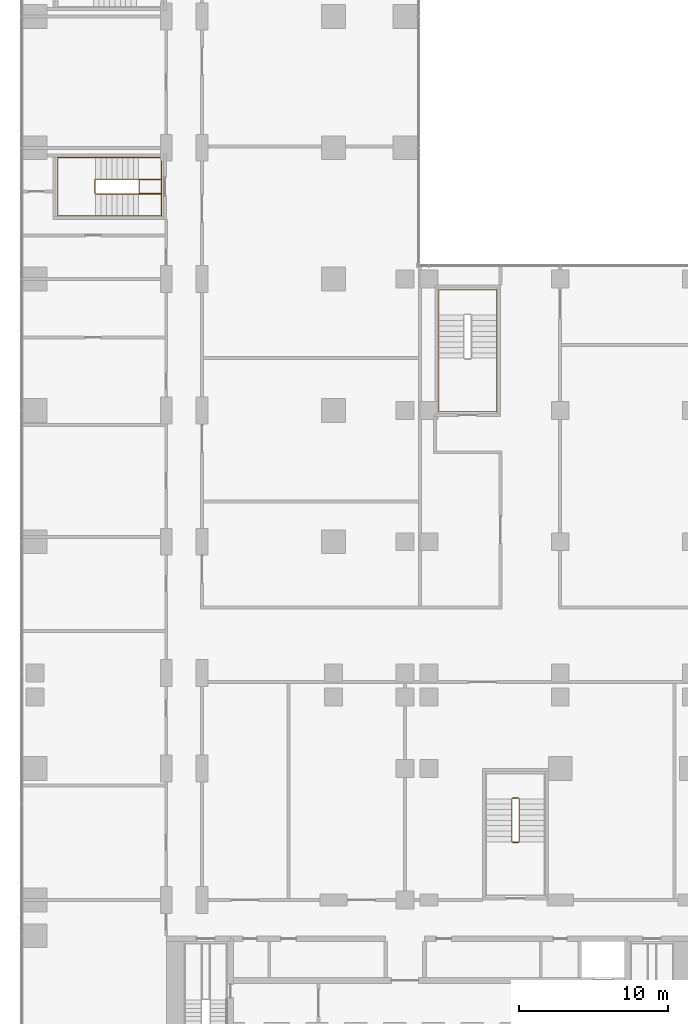
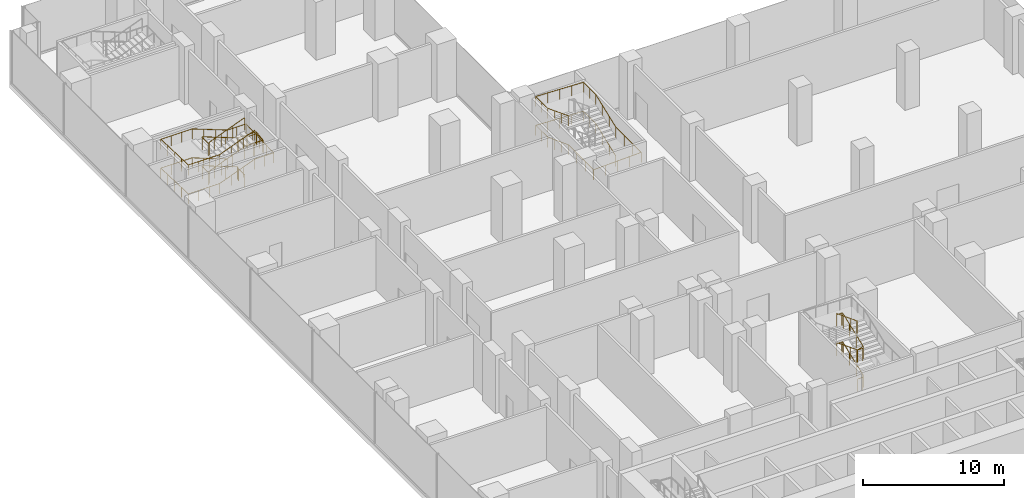
# One storey, part 27 of 30: 4 railings.
"""IFC4 building model written with IfcOpenShell, lengths in metres."""

from ifc_helpers import new_model, si_unit, direction, frame, origin, origin_2d, place, context, subcontext, project, spatial, circle, extrude, material, type_object, element, save


model = new_model("IFC4")

# Units and contexts
model_context = context("Model", 3, precision=1e-05, world=origin(), true_north=direction((0.0, 1.0)))
body_context = subcontext(model_context, "Body", "Model", "MODEL_VIEW")
ifc_project = project(units=[si_unit("LENGTHUNIT", "METRE"), si_unit("AREAUNIT", "SQUARE_METRE"), si_unit("VOLUMEUNIT", "CUBIC_METRE"), si_unit("PLANEANGLEUNIT", "RADIAN"), si_unit("MASSUNIT", "GRAM", prefix="KILO")], contexts=[model_context])

# Site, building, storey
site_placement = place(None, origin())
site = spatial("IfcSite", under=ifc_project, at=site_placement, CompositionType="ELEMENT")
building_placement = place(site_placement, origin())
building = spatial("IfcBuilding", under=site, at=building_placement, Name="Kemantara Hotel Tower", CompositionType="ELEMENT")
storey_placement = place(building_placement, frame((0.0, 0.0, 13.0)))
storey = spatial("IfcBuildingStorey", under=building, at=storey_placement, Name="L02", CompositionType="ELEMENT", Elevation=13.0)

# Railings
ifc_material = material(Name="Stainless steel balustrade", Category="steel")
railing_type_1 = type_object("IfcRailingType", Name="Stair guard 1100 mm", PredefinedType="GUARDRAIL", material=ifc_material)
railing_1_placement = place(storey_placement, frame((7.949951171875, 59.5, 5.0)))
element("IfcRailing", 1, at=railing_1_placement, inside=storey, type_object=railing_type_1, Name="L02 ST4 stair guard 1", PredefinedType="GUARDRAIL", context=body_context, shape_type="SweptSolid", body=[
    extrude(circle(Radius=0.02392578125, at=origin_2d()), frame((0.0, 0.0, 1.076171875), z_axis=(-0.932972064118, 0.0, -0.359948784656), x_axis=(0.0, -1.0, 0.0)), (0.0, 0.0, 1.0), 3.086669921875),
    extrude(circle(Radius=0.02392578125, at=origin_2d()), frame((-2.8798828125, 0.0, -0.03515625), z_axis=(-0.321014310373, 0.321014310373, -0.891010451718), x_axis=(-0.707106781187, -0.707106781187, 0.0)), (0.0, 0.0, 1.0), 0.156005859375),
    extrude(circle(Radius=0.02392578125, at=origin_2d()), frame((-2.929931640625, 0.050048828125, -0.173828125), z_axis=(0.0, 1.0, 0.0), x_axis=(-1.0, 0.0, 0.0)), (0.0, 0.0, 1.0), 0.89990234375),
    extrude(circle(Radius=0.02392578125, at=origin_2d()), frame((-2.929931640625, 0.949951171875, -0.173828125), z_axis=(0.707106781187, 0.707106781187, 0.0), x_axis=(-0.707106781187, 0.707106781187, 0.0)), (0.0, 0.0, 1.0), 0.07080078125),
    extrude(circle(Radius=0.02392578125, at=origin_2d()), frame((-2.8798828125, 1.0, -0.173828125), z_axis=(0.932972064118, 0.0, -0.359948784656), x_axis=(0.0, 1.0, 0.0)), (0.0, 0.0, 1.0), 3.086669921875),
    extrude(circle(Radius=0.02392578125, at=origin_2d()), frame((0.0, 1.0, -1.28515625), z_axis=(1.0, 0.0, 0.0), x_axis=(0.0, 1.0, 0.0)), (0.0, 0.0, 1.0), 1.530029296875),
    extrude(circle(Radius=0.02392578125, at=origin_2d()), frame((1.530029296875, 1.0, -1.28515625), z_axis=(0.0, -0.989476165601, -0.144695949172), x_axis=(1.0, 0.0, 0.0)), (0.0, 0.0, 1.0), 0.9599609375),
    extrude(circle(Radius=0.02392578125, at=origin_2d()), frame((1.530029296875, 0.050048828125, -1.423828125), z_axis=(-1.0, 0.0, 0.0), x_axis=(0.0, -1.0, 0.0)), (0.0, 0.0, 1.0), 1.47998046875),
    extrude(circle(Radius=0.02392578125, at=origin_2d()), frame((0.050048828125, 0.050048828125, -1.423828125), z_axis=(0.0, 1.0, 0.0), x_axis=(-1.0, 0.0, 0.0)), (0.0, 0.0, 1.0), 0.89990234375),
    extrude(circle(Radius=0.02392578125, at=origin_2d()), frame((0.050048828125, 0.949951171875, -1.423828125), z_axis=(1.0, 0.0, 0.0), x_axis=(0.0, 1.0, 0.0)), (0.0, 0.0, 1.0), 1.47998046875),
    extrude(circle(Radius=0.02392578125, at=origin_2d()), frame((1.530029296875, 0.949951171875, -1.423828125), z_axis=(0.0, -1.0, 0.0), x_axis=(1.0, 0.0, 0.0)), (0.0, 0.0, 1.0), 0.949951171875),
    extrude(circle(Radius=0.02392578125, at=origin_2d()), frame((1.530029296875, 0.0, -1.423828125), z_axis=(-1.0, 0.0, 0.0), x_axis=(0.0, -1.0, 0.0)), (0.0, 0.0, 1.0), 1.530029296875),
    extrude(circle(Radius=0.02392578125, at=origin_2d()), frame((0.0, 0.0, -1.423828125), z_axis=(-0.932972064118, 0.0, -0.359948784656), x_axis=(0.0, -1.0, 0.0)), (0.0, 0.0, 1.0), 3.086669921875),
    extrude(circle(Radius=0.02392578125, at=origin_2d()), frame((-2.8798828125, 0.0, -2.53515625), z_axis=(-0.321014310373, 0.321014310373, -0.891010451718), x_axis=(-0.707106781187, -0.707106781187, 0.0)), (0.0, 0.0, 1.0), 0.156005859375),
    extrude(circle(Radius=0.02392578125, at=origin_2d()), frame((-2.929931640625, 0.050048828125, -2.673828125), z_axis=(0.0, 1.0, 0.0), x_axis=(-1.0, 0.0, 0.0)), (0.0, 0.0, 1.0), 0.89990234375),
    extrude(circle(Radius=0.02392578125, at=origin_2d()), frame((-2.929931640625, 0.949951171875, -2.673828125), z_axis=(0.707106781187, 0.707106781187, 0.0), x_axis=(-0.707106781187, 0.707106781187, 0.0)), (0.0, 0.0, 1.0), 0.07080078125),
    extrude(circle(Radius=0.02392578125, at=origin_2d()), frame((-2.8798828125, 1.0, -2.673828125), z_axis=(0.932972064118, 0.0, -0.359948784656), x_axis=(0.0, 1.0, 0.0)), (0.0, 0.0, 1.0), 3.086669921875),
    extrude(circle(Radius=0.02392578125, at=origin_2d()), frame((0.0, 1.0, -3.78515625), z_axis=(0.321014310373, -0.321014310373, -0.891010451718), x_axis=(0.707106781187, 0.707106781187, 0.0)), (0.0, 0.0, 1.0), 0.156005859375),
    extrude(circle(Radius=0.02392578125, at=origin_2d()), frame((0.050048828125, 0.949951171875, -3.923828125), z_axis=(0.0, -1.0, 0.0), x_axis=(1.0, 0.0, 0.0)), (0.0, 0.0, 1.0), 0.89990234375),
    extrude(circle(Radius=0.02099609375, at=origin_2d()), origin(), (0.0, 0.0, 1.0), 1.052001953125),
    extrude(circle(Radius=0.02099609375, at=origin_2d()), frame((-0.9599609375, 0.0, -0.370361328125)), (0.0, 0.0, 1.0), 1.052001953125),
    extrude(circle(Radius=0.02099609375, at=origin_2d()), frame((-1.919921875, 0.0, -0.74072265625)), (0.0, 0.0, 1.0), 1.052001953125),
    extrude(circle(Radius=0.02099609375, at=origin_2d()), frame((-2.8798828125, 0.0, -1.111083984375)), (0.0, 0.0, 1.0), 1.052001953125),
    extrude(circle(Radius=0.02099609375, at=origin_2d()), frame((-2.929931640625, 0.050048828125, -1.25)), (0.0, 0.0, 1.0), 1.052001953125),
    extrude(circle(Radius=0.02099609375, at=origin_2d()), frame((-2.929931640625, 0.949951171875, -1.25)), (0.0, 0.0, 1.0), 1.052001953125),
    extrude(circle(Radius=0.02099609375, at=origin_2d()), frame((-2.8798828125, 1.0, -1.25)), (0.0, 0.0, 1.0), 1.052001953125),
    extrude(circle(Radius=0.02099609375, at=origin_2d()), frame((-1.919921875, 1.0, -1.620361328125)), (0.0, 0.0, 1.0), 1.052001953125),
    extrude(circle(Radius=0.02099609375, at=origin_2d()), frame((-0.9599609375, 1.0, -1.99072265625)), (0.0, 0.0, 1.0), 1.052001953125),
    extrude(circle(Radius=0.02099609375, at=origin_2d()), frame((0.0, 1.0, -2.361083984375)), (0.0, 0.0, 1.0), 1.052001953125),
    extrude(circle(Radius=0.02099609375, at=origin_2d()), frame((0.76513671875, 1.0, -2.361083984375)), (0.0, 0.0, 1.0), 1.052001953125),
    extrude(circle(Radius=0.02099609375, at=origin_2d()), frame((1.530029296875, 1.0, -2.361083984375)), (0.0, 0.0, 1.0), 1.052001953125),
    extrude(circle(Radius=0.02099609375, at=origin_2d()), frame((1.530029296875, 0.050048828125, -2.5)), (0.0, 0.0, 1.0), 1.052001953125),
    extrude(circle(Radius=0.02099609375, at=origin_2d()), frame((0.7900390625, 0.050048828125, -2.5)), (0.0, 0.0, 1.0), 1.052001953125),
    extrude(circle(Radius=0.02099609375, at=origin_2d()), frame((0.050048828125, 0.050048828125, -2.5)), (0.0, 0.0, 1.0), 1.052001953125),
    extrude(circle(Radius=0.02099609375, at=origin_2d()), frame((0.050048828125, 0.949951171875, -2.5)), (0.0, 0.0, 1.0), 1.052001953125),
    extrude(circle(Radius=0.02099609375, at=origin_2d()), frame((0.7900390625, 0.949951171875, -2.5)), (0.0, 0.0, 1.0), 1.052001953125),
    extrude(circle(Radius=0.02099609375, at=origin_2d()), frame((1.530029296875, 0.949951171875, -2.5)), (0.0, 0.0, 1.0), 1.052001953125),
    extrude(circle(Radius=0.02099609375, at=origin_2d()), frame((1.530029296875, 0.0, -2.5)), (0.0, 0.0, 1.0), 1.052001953125),
    extrude(circle(Radius=0.02099609375, at=origin_2d()), frame((0.76513671875, 0.0, -2.5)), (0.0, 0.0, 1.0), 1.052001953125),
    extrude(circle(Radius=0.02099609375, at=origin_2d()), frame((0.0, 0.0, -2.5)), (0.0, 0.0, 1.0), 1.052001953125),
    extrude(circle(Radius=0.02099609375, at=origin_2d()), frame((-0.9599609375, 0.0, -2.870361328125)), (0.0, 0.0, 1.0), 1.052001953125),
    extrude(circle(Radius=0.02099609375, at=origin_2d()), frame((-1.919921875, 0.0, -3.24072265625)), (0.0, 0.0, 1.0), 1.052001953125),
    extrude(circle(Radius=0.02099609375, at=origin_2d()), frame((-2.8798828125, 0.0, -3.611083984375)), (0.0, 0.0, 1.0), 1.052001953125),
    extrude(circle(Radius=0.02099609375, at=origin_2d()), frame((-2.929931640625, 0.050048828125, -3.75)), (0.0, 0.0, 1.0), 1.052001953125),
    extrude(circle(Radius=0.02099609375, at=origin_2d()), frame((-2.929931640625, 0.949951171875, -3.75)), (0.0, 0.0, 1.0), 1.052001953125),
    extrude(circle(Radius=0.02099609375, at=origin_2d()), frame((-2.8798828125, 1.0, -3.75)), (0.0, 0.0, 1.0), 1.052001953125),
    extrude(circle(Radius=0.02099609375, at=origin_2d()), frame((-1.919921875, 1.0, -4.120361328125)), (0.0, 0.0, 1.0), 1.052001953125),
    extrude(circle(Radius=0.02099609375, at=origin_2d()), frame((-0.9599609375, 1.0, -4.49072265625)), (0.0, 0.0, 1.0), 1.052001953125),
    extrude(circle(Radius=0.02099609375, at=origin_2d()), frame((0.0, 1.0, -4.861083984375)), (0.0, 0.0, 1.0), 1.052001953125),
    extrude(circle(Radius=0.02099609375, at=origin_2d()), frame((0.050048828125, 0.949951171875, -5.0)), (0.0, 0.0, 1.0), 1.052001953125),
    extrude(circle(Radius=0.02099609375, at=origin_2d()), frame((0.050048828125, 0.050048828125, -5.0)), (0.0, 0.0, 1.0), 1.052001953125),
])
railing_2_placement = place(storey_placement, frame((32.949951171875, 16.10009765625, 5.0)))
element("IfcRailing", 2, at=railing_2_placement, inside=storey, type_object=railing_type_1, Name="L02 PS3 stair guard 1", PredefinedType="GUARDRAIL", context=body_context, shape_type="SweptSolid", body=[
    extrude(circle(Radius=0.02392578125, at=origin_2d()), frame((0.0, 0.0, 1.076171875), z_axis=(0.0, 0.932972064118, -0.359948784656), x_axis=(-1.0, 0.0, 0.0)), (0.0, 0.0, 1.0), 3.086669921875),
    extrude(circle(Radius=0.02392578125, at=origin_2d()), frame((0.0, 2.8798828125, -0.03515625), z_axis=(0.321014310373, 0.321014310373, -0.891010451718), x_axis=(-0.707106781187, 0.707106781187, 0.0)), (0.0, 0.0, 1.0), 0.156005859375),
    extrude(circle(Radius=0.02392578125, at=origin_2d()), frame((0.050048828125, 2.929931640625, -0.173828125), z_axis=(1.0, 0.0, 0.0), x_axis=(0.0, 1.0, 0.0)), (0.0, 0.0, 1.0), 0.39990234375),
    extrude(circle(Radius=0.02392578125, at=origin_2d()), frame((0.449951171875, 2.929931640625, -0.173828125), z_axis=(0.707106781187, -0.707106781187, 0.0), x_axis=(0.707106781187, 0.707106781187, 0.0)), (0.0, 0.0, 1.0), 0.07080078125),
    extrude(circle(Radius=0.02392578125, at=origin_2d()), frame((0.5, 2.8798828125, -0.173828125), z_axis=(0.0, -0.932972064118, -0.359948784656), x_axis=(1.0, 0.0, 0.0)), (0.0, 0.0, 1.0), 3.086669921875),
    extrude(circle(Radius=0.02392578125, at=origin_2d()), frame((0.5, 0.0, -1.28515625), z_axis=(-0.950147067569, -0.105686461667, -0.293344374089), x_axis=(0.110549901152, -0.993870574751, 0.0)), (0.0, 0.0, 1.0), 0.4736328125),
    extrude(circle(Radius=0.02392578125, at=origin_2d()), frame((0.050048828125, -0.050048828125, -1.423828125), z_axis=(1.0, 0.0, 0.0), x_axis=(0.0, 1.0, 0.0)), (0.0, 0.0, 1.0), 0.39990234375),
    extrude(circle(Radius=0.02392578125, at=origin_2d()), frame((0.449951171875, -0.050048828125, -1.423828125), z_axis=(-0.993870574751, 0.110549901152, 0.0), x_axis=(-0.110549901152, -0.993870574751, 0.0)), (0.0, 0.0, 1.0), 0.45263671875),
    extrude(circle(Radius=0.02392578125, at=origin_2d()), frame((0.0, 0.0, -1.423828125), z_axis=(0.0, 0.932972064118, -0.359948784656), x_axis=(-1.0, 0.0, 0.0)), (0.0, 0.0, 1.0), 3.086669921875),
    extrude(circle(Radius=0.02392578125, at=origin_2d()), frame((0.0, 2.8798828125, -2.53515625), z_axis=(0.321014310373, 0.321014310373, -0.891010451718), x_axis=(-0.707106781187, 0.707106781187, 0.0)), (0.0, 0.0, 1.0), 0.156005859375),
    extrude(circle(Radius=0.02392578125, at=origin_2d()), frame((0.050048828125, 2.929931640625, -2.673828125), z_axis=(1.0, 0.0, 0.0), x_axis=(0.0, 1.0, 0.0)), (0.0, 0.0, 1.0), 0.39990234375),
    extrude(circle(Radius=0.02392578125, at=origin_2d()), frame((0.449951171875, 2.929931640625, -2.673828125), z_axis=(0.707106781187, -0.707106781187, 0.0), x_axis=(0.707106781187, 0.707106781187, 0.0)), (0.0, 0.0, 1.0), 0.07080078125),
    extrude(circle(Radius=0.02392578125, at=origin_2d()), frame((0.5, 2.8798828125, -2.673828125), z_axis=(0.0, -0.932972064118, -0.359948784656), x_axis=(1.0, 0.0, 0.0)), (0.0, 0.0, 1.0), 3.086669921875),
    extrude(circle(Radius=0.02392578125, at=origin_2d()), frame((0.5, 0.0, -3.78515625), z_axis=(-0.321014310373, -0.321014310373, -0.891010451718), x_axis=(0.707106781187, -0.707106781187, 0.0)), (0.0, 0.0, 1.0), 0.156005859375),
    extrude(circle(Radius=0.02392578125, at=origin_2d()), frame((0.449951171875, -0.050048828125, -3.923828125), z_axis=(-1.0, 0.0, 0.0), x_axis=(0.0, -1.0, 0.0)), (0.0, 0.0, 1.0), 0.39990234375),
    extrude(circle(Radius=0.02099609375, at=origin_2d()), origin(), (0.0, 0.0, 1.0), 1.052001953125),
    extrude(circle(Radius=0.02099609375, at=origin_2d()), frame((0.0, 0.9599609375, -0.370361328125)), (0.0, 0.0, 1.0), 1.052001953125),
    extrude(circle(Radius=0.02099609375, at=origin_2d()), frame((0.0, 1.919921875, -0.74072265625)), (0.0, 0.0, 1.0), 1.052001953125),
    extrude(circle(Radius=0.02099609375, at=origin_2d()), frame((0.0, 2.8798828125, -1.111083984375)), (0.0, 0.0, 1.0), 1.052001953125),
    extrude(circle(Radius=0.02099609375, at=origin_2d()), frame((0.050048828125, 2.929931640625, -1.25)), (0.0, 0.0, 1.0), 1.052001953125),
    extrude(circle(Radius=0.02099609375, at=origin_2d()), frame((0.449951171875, 2.929931640625, -1.25)), (0.0, 0.0, 1.0), 1.052001953125),
    extrude(circle(Radius=0.02099609375, at=origin_2d()), frame((0.5, 2.8798828125, -1.25)), (0.0, 0.0, 1.0), 1.052001953125),
    extrude(circle(Radius=0.02099609375, at=origin_2d()), frame((0.5, 1.919921875, -1.620361328125)), (0.0, 0.0, 1.0), 1.052001953125),
    extrude(circle(Radius=0.02099609375, at=origin_2d()), frame((0.5, 0.9599609375, -1.99072265625)), (0.0, 0.0, 1.0), 1.052001953125),
    extrude(circle(Radius=0.02099609375, at=origin_2d()), frame((0.5, 0.0, -2.361083984375)), (0.0, 0.0, 1.0), 1.052001953125),
    extrude(circle(Radius=0.02099609375, at=origin_2d()), frame((0.050048828125, -0.050048828125, -2.5)), (0.0, 0.0, 1.0), 1.052001953125),
    extrude(circle(Radius=0.02099609375, at=origin_2d()), frame((0.449951171875, -0.050048828125, -2.5)), (0.0, 0.0, 1.0), 1.052001953125),
    extrude(circle(Radius=0.02099609375, at=origin_2d()), frame((0.0, 0.0, -2.5)), (0.0, 0.0, 1.0), 1.052001953125),
    extrude(circle(Radius=0.02099609375, at=origin_2d()), frame((0.0, 0.9599609375, -2.870361328125)), (0.0, 0.0, 1.0), 1.052001953125),
    extrude(circle(Radius=0.02099609375, at=origin_2d()), frame((0.0, 1.919921875, -3.24072265625)), (0.0, 0.0, 1.0), 1.052001953125),
    extrude(circle(Radius=0.02099609375, at=origin_2d()), frame((0.0, 2.8798828125, -3.611083984375)), (0.0, 0.0, 1.0), 1.052001953125),
    extrude(circle(Radius=0.02099609375, at=origin_2d()), frame((0.050048828125, 2.929931640625, -3.75)), (0.0, 0.0, 1.0), 1.052001953125),
    extrude(circle(Radius=0.02099609375, at=origin_2d()), frame((0.449951171875, 2.929931640625, -3.75)), (0.0, 0.0, 1.0), 1.052001953125),
    extrude(circle(Radius=0.02099609375, at=origin_2d()), frame((0.5, 2.8798828125, -3.75)), (0.0, 0.0, 1.0), 1.052001953125),
    extrude(circle(Radius=0.02099609375, at=origin_2d()), frame((0.5, 1.919921875, -4.120361328125)), (0.0, 0.0, 1.0), 1.052001953125),
    extrude(circle(Radius=0.02099609375, at=origin_2d()), frame((0.5, 0.9599609375, -4.49072265625)), (0.0, 0.0, 1.0), 1.052001953125),
    extrude(circle(Radius=0.02099609375, at=origin_2d()), frame((0.5, 0.0, -4.861083984375)), (0.0, 0.0, 1.0), 1.052001953125),
    extrude(circle(Radius=0.02099609375, at=origin_2d()), frame((0.449951171875, -0.050048828125, -5.0)), (0.0, 0.0, 1.0), 1.052001953125),
    extrude(circle(Radius=0.02099609375, at=origin_2d()), frame((0.050048828125, -0.050048828125, -5.0)), (0.0, 0.0, 1.0), 1.052001953125),
])
railing_type_2 = type_object("IfcRailingType", Name="Stair handrail 900 mm", PredefinedType="HANDRAIL", material=ifc_material)
railing_3_placement = place(storey_placement, frame((7.949951171875, 61.949951171875, 0.138916015625)))
element("IfcRailing", 3, at=railing_3_placement, inside=storey, type_object=railing_type_2, Name="L02 ST4 stair handrail 1", PredefinedType="HANDRAIL", context=body_context, shape_type="SweptSolid", body=[
    extrude(circle(Radius=0.02392578125, at=origin_2d()), frame((0.0, 0.0, 0.8759765625), z_axis=(-0.932972064118, 0.0, 0.359948784656), x_axis=(0.0, -1.0, 0.0)), (0.0, 0.0, 1.0), 3.086669921875),
    extrude(circle(Radius=0.02392578125, at=origin_2d()), frame((-2.8798828125, 0.0, 1.98681640625), z_axis=(-1.0, 0.0, 0.0), x_axis=(0.0, -1.0, 0.0)), (0.0, 0.0, 1.0), 2.550048828125),
    extrude(circle(Radius=0.02392578125, at=origin_2d()), frame((-5.429931640625, 0.0, 1.98681640625), z_axis=(0.0, -0.999366197222, 0.035597806825), x_axis=(1.0, 0.0, 0.0)), (0.0, 0.0, 1.0), 3.90234375),
    extrude(circle(Radius=0.02392578125, at=origin_2d()), frame((-5.429931640625, -3.89990234375, 2.1259765625), z_axis=(1.0, 0.0, 0.0), x_axis=(0.0, 1.0, 0.0)), (0.0, 0.0, 1.0), 2.550048828125),
    extrude(circle(Radius=0.02392578125, at=origin_2d()), frame((-2.8798828125, -3.89990234375, 2.1259765625), z_axis=(0.932972064118, 0.0, 0.359948784656), x_axis=(0.0, 1.0, 0.0)), (0.0, 0.0, 1.0), 3.086669921875),
    extrude(circle(Radius=0.02392578125, at=origin_2d()), frame((0.0, -3.89990234375, 3.23681640625), z_axis=(1.0, 0.0, 0.0), x_axis=(0.0, 1.0, 0.0)), (0.0, 0.0, 1.0), 1.530029296875),
    extrude(circle(Radius=0.02392578125, at=origin_2d()), frame((1.530029296875, -3.89990234375, 3.23681640625), z_axis=(0.0, 0.999366197222, 0.035597806825), x_axis=(-1.0, 0.0, 0.0)), (0.0, 0.0, 1.0), 3.90234375),
    extrude(circle(Radius=0.02392578125, at=origin_2d()), frame((1.530029296875, 0.0, 3.3759765625), z_axis=(-1.0, 0.0, 0.0), x_axis=(0.0, -1.0, 0.0)), (0.0, 0.0, 1.0), 1.530029296875),
    extrude(circle(Radius=0.02392578125, at=origin_2d()), frame((0.0, 0.0, 3.3759765625), z_axis=(-0.932972064118, 0.0, 0.359948784656), x_axis=(0.0, -1.0, 0.0)), (0.0, 0.0, 1.0), 3.086669921875),
    extrude(circle(Radius=0.02392578125, at=origin_2d()), frame((-2.8798828125, 0.0, 4.48681640625), z_axis=(-1.0, 0.0, 0.0), x_axis=(0.0, -1.0, 0.0)), (0.0, 0.0, 1.0), 2.550048828125),
    extrude(circle(Radius=0.02392578125, at=origin_2d()), frame((-5.429931640625, 0.0, 4.48681640625), z_axis=(0.0, -0.999366197222, 0.035597806825), x_axis=(1.0, 0.0, 0.0)), (0.0, 0.0, 1.0), 3.90234375),
    extrude(circle(Radius=0.02392578125, at=origin_2d()), frame((-5.429931640625, -3.89990234375, 4.6259765625), z_axis=(1.0, 0.0, 0.0), x_axis=(0.0, 1.0, 0.0)), (0.0, 0.0, 1.0), 2.550048828125),
    extrude(circle(Radius=0.02392578125, at=origin_2d()), frame((-2.8798828125, -3.89990234375, 4.6259765625), z_axis=(0.932972064118, 0.0, 0.359948784656), x_axis=(0.0, 1.0, 0.0)), (0.0, 0.0, 1.0), 3.086669921875),
    extrude(circle(Radius=0.02099609375, at=origin_2d()), origin(), (0.0, 0.0, 1.0), 0.851806640625),
    extrude(circle(Radius=0.02099609375, at=origin_2d()), frame((-0.9599609375, 0.0, 0.370361328125)), (0.0, 0.0, 1.0), 0.851806640625),
    extrude(circle(Radius=0.02099609375, at=origin_2d()), frame((-1.919921875, 0.0, 0.74072265625)), (0.0, 0.0, 1.0), 0.851806640625),
    extrude(circle(Radius=0.02099609375, at=origin_2d()), frame((-2.8798828125, 0.0, 1.111083984375)), (0.0, 0.0, 1.0), 0.851806640625),
    extrude(circle(Radius=0.02099609375, at=origin_2d()), frame((-3.72998046875, 0.0, 1.111083984375)), (0.0, 0.0, 1.0), 0.851806640625),
    extrude(circle(Radius=0.02099609375, at=origin_2d()), frame((-4.579833984375, 0.0, 1.111083984375)), (0.0, 0.0, 1.0), 0.851806640625),
    extrude(circle(Radius=0.02099609375, at=origin_2d()), frame((-5.429931640625, 0.0, 1.111083984375)), (0.0, 0.0, 1.0), 0.851806640625),
    extrude(circle(Radius=0.02099609375, at=origin_2d()), frame((-5.429931640625, -0.97509765625, 1.145751953125)), (0.0, 0.0, 1.0), 0.851806640625),
    extrude(circle(Radius=0.02099609375, at=origin_2d()), frame((-5.429931640625, -1.949951171875, 1.1806640625)), (0.0, 0.0, 1.0), 0.851806640625),
    extrude(circle(Radius=0.02099609375, at=origin_2d()), frame((-5.429931640625, -2.9248046875, 1.21533203125)), (0.0, 0.0, 1.0), 0.851806640625),
    extrude(circle(Radius=0.02099609375, at=origin_2d()), frame((-5.429931640625, -3.89990234375, 1.25)), (0.0, 0.0, 1.0), 0.851806640625),
    extrude(circle(Radius=0.02099609375, at=origin_2d()), frame((-4.579833984375, -3.89990234375, 1.25)), (0.0, 0.0, 1.0), 0.851806640625),
    extrude(circle(Radius=0.02099609375, at=origin_2d()), frame((-3.72998046875, -3.89990234375, 1.25)), (0.0, 0.0, 1.0), 0.851806640625),
    extrude(circle(Radius=0.02099609375, at=origin_2d()), frame((-2.8798828125, -3.89990234375, 1.25)), (0.0, 0.0, 1.0), 0.851806640625),
    extrude(circle(Radius=0.02099609375, at=origin_2d()), frame((-1.919921875, -3.89990234375, 1.620361328125)), (0.0, 0.0, 1.0), 0.851806640625),
    extrude(circle(Radius=0.02099609375, at=origin_2d()), frame((-0.9599609375, -3.89990234375, 1.99072265625)), (0.0, 0.0, 1.0), 0.851806640625),
    extrude(circle(Radius=0.02099609375, at=origin_2d()), frame((0.0, -3.89990234375, 2.361083984375)), (0.0, 0.0, 1.0), 0.851806640625),
    extrude(circle(Radius=0.02099609375, at=origin_2d()), frame((0.76513671875, -3.89990234375, 2.361083984375)), (0.0, 0.0, 1.0), 0.851806640625),
    extrude(circle(Radius=0.02099609375, at=origin_2d()), frame((1.530029296875, -3.89990234375, 2.361083984375)), (0.0, 0.0, 1.0), 0.851806640625),
    extrude(circle(Radius=0.02099609375, at=origin_2d()), frame((1.530029296875, -2.9248046875, 2.395751953125)), (0.0, 0.0, 1.0), 0.851806640625),
    extrude(circle(Radius=0.02099609375, at=origin_2d()), frame((1.530029296875, -1.949951171875, 2.4306640625)), (0.0, 0.0, 1.0), 0.851806640625),
    extrude(circle(Radius=0.02099609375, at=origin_2d()), frame((1.530029296875, -0.97509765625, 2.46533203125)), (0.0, 0.0, 1.0), 0.851806640625),
    extrude(circle(Radius=0.02099609375, at=origin_2d()), frame((1.530029296875, 0.0, 2.5)), (0.0, 0.0, 1.0), 0.851806640625),
    extrude(circle(Radius=0.02099609375, at=origin_2d()), frame((0.76513671875, 0.0, 2.5)), (0.0, 0.0, 1.0), 0.851806640625),
    extrude(circle(Radius=0.02099609375, at=origin_2d()), frame((0.0, 0.0, 2.5)), (0.0, 0.0, 1.0), 0.851806640625),
    extrude(circle(Radius=0.02099609375, at=origin_2d()), frame((-0.9599609375, 0.0, 2.870361328125)), (0.0, 0.0, 1.0), 0.851806640625),
    extrude(circle(Radius=0.02099609375, at=origin_2d()), frame((-1.919921875, 0.0, 3.24072265625)), (0.0, 0.0, 1.0), 0.851806640625),
    extrude(circle(Radius=0.02099609375, at=origin_2d()), frame((-2.8798828125, 0.0, 3.611083984375)), (0.0, 0.0, 1.0), 0.851806640625),
    extrude(circle(Radius=0.02099609375, at=origin_2d()), frame((-3.72998046875, 0.0, 3.611083984375)), (0.0, 0.0, 1.0), 0.851806640625),
    extrude(circle(Radius=0.02099609375, at=origin_2d()), frame((-4.579833984375, 0.0, 3.611083984375)), (0.0, 0.0, 1.0), 0.851806640625),
    extrude(circle(Radius=0.02099609375, at=origin_2d()), frame((-5.429931640625, 0.0, 3.611083984375)), (0.0, 0.0, 1.0), 0.851806640625),
    extrude(circle(Radius=0.02099609375, at=origin_2d()), frame((-5.429931640625, -0.97509765625, 3.645751953125)), (0.0, 0.0, 1.0), 0.851806640625),
    extrude(circle(Radius=0.02099609375, at=origin_2d()), frame((-5.429931640625, -1.949951171875, 3.6806640625)), (0.0, 0.0, 1.0), 0.851806640625),
    extrude(circle(Radius=0.02099609375, at=origin_2d()), frame((-5.429931640625, -2.9248046875, 3.71533203125)), (0.0, 0.0, 1.0), 0.851806640625),
    extrude(circle(Radius=0.02099609375, at=origin_2d()), frame((-5.429931640625, -3.89990234375, 3.75)), (0.0, 0.0, 1.0), 0.851806640625),
    extrude(circle(Radius=0.02099609375, at=origin_2d()), frame((-4.579833984375, -3.89990234375, 3.75)), (0.0, 0.0, 1.0), 0.851806640625),
    extrude(circle(Radius=0.02099609375, at=origin_2d()), frame((-3.72998046875, -3.89990234375, 3.75)), (0.0, 0.0, 1.0), 0.851806640625),
    extrude(circle(Radius=0.02099609375, at=origin_2d()), frame((-2.8798828125, -3.89990234375, 3.75)), (0.0, 0.0, 1.0), 0.851806640625),
    extrude(circle(Radius=0.02099609375, at=origin_2d()), frame((-1.919921875, -3.89990234375, 4.120361328125)), (0.0, 0.0, 1.0), 0.851806640625),
    extrude(circle(Radius=0.02099609375, at=origin_2d()), frame((-0.9599609375, -3.89990234375, 4.49072265625)), (0.0, 0.0, 1.0), 0.851806640625),
    extrude(circle(Radius=0.02099609375, at=origin_2d()), frame((0.0, -3.89990234375, 4.861083984375)), (0.0, 0.0, 1.0), 0.851806640625),
])
railing_4_placement = place(storey_placement, frame((31.949951171875, 48.5, 0.138916015625)))
element("IfcRailing", 4, at=railing_4_placement, inside=storey, type_object=railing_type_2, Name="L02 PS2 stair handrail 1", PredefinedType="HANDRAIL", context=body_context, shape_type="SweptSolid", body=[
    extrude(circle(Radius=0.02392578125, at=origin_2d()), frame((0.0, 0.0, 0.8759765625), z_axis=(0.0, 0.932972064118, 0.359948784656), x_axis=(-1.0, 0.0, 0.0)), (0.0, 0.0, 1.0), 3.086669921875),
    extrude(circle(Radius=0.02392578125, at=origin_2d()), frame((0.0, 2.8798828125, 1.98681640625), z_axis=(0.0, 1.0, 0.0), x_axis=(-1.0, 0.0, 0.0)), (0.0, 0.0, 1.0), 1.7001953125),
    extrude(circle(Radius=0.02392578125, at=origin_2d()), frame((0.0, 4.580078125, 1.98681640625), z_axis=(-0.999366197222, 0.0, 0.035597806825), x_axis=(0.0, -1.0, 0.0)), (0.0, 0.0, 1.0), 3.90234375),
    extrude(circle(Radius=0.02392578125, at=origin_2d()), frame((-3.89990234375, 4.580078125, 2.1259765625), z_axis=(0.0, -1.0, 0.0), x_axis=(1.0, 0.0, 0.0)), (0.0, 0.0, 1.0), 1.7001953125),
    extrude(circle(Radius=0.02392578125, at=origin_2d()), frame((-3.89990234375, 2.8798828125, 2.1259765625), z_axis=(0.0, -0.932972064118, 0.359948784656), x_axis=(1.0, 0.0, 0.0)), (0.0, 0.0, 1.0), 3.086669921875),
    extrude(circle(Radius=0.02392578125, at=origin_2d()), frame((-3.89990234375, 0.0, 3.23681640625), z_axis=(0.0, -1.0, 0.0), x_axis=(1.0, 0.0, 0.0)), (0.0, 0.0, 1.0), 3.580078125),
    extrude(circle(Radius=0.02392578125, at=origin_2d()), frame((-3.89990234375, -3.580078125, 3.23681640625), z_axis=(0.999366197222, 0.0, 0.035597806825), x_axis=(0.0, 1.0, 0.0)), (0.0, 0.0, 1.0), 3.90234375),
    extrude(circle(Radius=0.02392578125, at=origin_2d()), frame((0.0, -3.580078125, 3.3759765625), z_axis=(0.0, 1.0, 0.0), x_axis=(-1.0, 0.0, 0.0)), (0.0, 0.0, 1.0), 3.580078125),
    extrude(circle(Radius=0.02392578125, at=origin_2d()), frame((0.0, 0.0, 3.3759765625), z_axis=(0.0, 0.932972064118, 0.359948784656), x_axis=(-1.0, 0.0, 0.0)), (0.0, 0.0, 1.0), 3.086669921875),
    extrude(circle(Radius=0.02392578125, at=origin_2d()), frame((0.0, 2.8798828125, 4.48681640625), z_axis=(0.0, 1.0, 0.0), x_axis=(-1.0, 0.0, 0.0)), (0.0, 0.0, 1.0), 1.7001953125),
    extrude(circle(Radius=0.02392578125, at=origin_2d()), frame((0.0, 4.580078125, 4.48681640625), z_axis=(-0.999366197222, 0.0, 0.035597806825), x_axis=(0.0, -1.0, 0.0)), (0.0, 0.0, 1.0), 3.90234375),
    extrude(circle(Radius=0.02392578125, at=origin_2d()), frame((-3.89990234375, 4.580078125, 4.6259765625), z_axis=(0.0, -1.0, 0.0), x_axis=(1.0, 0.0, 0.0)), (0.0, 0.0, 1.0), 1.7001953125),
    extrude(circle(Radius=0.02392578125, at=origin_2d()), frame((-3.89990234375, 2.8798828125, 4.6259765625), z_axis=(0.0, -0.932972064118, 0.359948784656), x_axis=(1.0, 0.0, 0.0)), (0.0, 0.0, 1.0), 3.086669921875),
    extrude(circle(Radius=0.02099609375, at=origin_2d()), origin(), (0.0, 0.0, 1.0), 0.851806640625),
    extrude(circle(Radius=0.02099609375, at=origin_2d()), frame((0.0, 0.9599609375, 0.370361328125)), (0.0, 0.0, 1.0), 0.851806640625),
    extrude(circle(Radius=0.02099609375, at=origin_2d()), frame((0.0, 1.919921875, 0.74072265625)), (0.0, 0.0, 1.0), 0.851806640625),
    extrude(circle(Radius=0.02099609375, at=origin_2d()), frame((0.0, 2.8798828125, 1.111083984375)), (0.0, 0.0, 1.0), 0.851806640625),
    extrude(circle(Radius=0.02099609375, at=origin_2d()), frame((0.0, 3.72998046875, 1.111083984375)), (0.0, 0.0, 1.0), 0.851806640625),
    extrude(circle(Radius=0.02099609375, at=origin_2d()), frame((0.0, 4.580078125, 1.111083984375)), (0.0, 0.0, 1.0), 0.851806640625),
    extrude(circle(Radius=0.02099609375, at=origin_2d()), frame((-0.97509765625, 4.580078125, 1.145751953125)), (0.0, 0.0, 1.0), 0.851806640625),
    extrude(circle(Radius=0.02099609375, at=origin_2d()), frame((-1.949951171875, 4.580078125, 1.1806640625)), (0.0, 0.0, 1.0), 0.851806640625),
    extrude(circle(Radius=0.02099609375, at=origin_2d()), frame((-2.9248046875, 4.580078125, 1.21533203125)), (0.0, 0.0, 1.0), 0.851806640625),
    extrude(circle(Radius=0.02099609375, at=origin_2d()), frame((-3.89990234375, 4.580078125, 1.25)), (0.0, 0.0, 1.0), 0.851806640625),
    extrude(circle(Radius=0.02099609375, at=origin_2d()), frame((-3.89990234375, 3.72998046875, 1.25)), (0.0, 0.0, 1.0), 0.851806640625),
    extrude(circle(Radius=0.02099609375, at=origin_2d()), frame((-3.89990234375, 2.8798828125, 1.25)), (0.0, 0.0, 1.0), 0.851806640625),
    extrude(circle(Radius=0.02099609375, at=origin_2d()), frame((-3.89990234375, 1.919921875, 1.620361328125)), (0.0, 0.0, 1.0), 0.851806640625),
    extrude(circle(Radius=0.02099609375, at=origin_2d()), frame((-3.89990234375, 0.9599609375, 1.99072265625)), (0.0, 0.0, 1.0), 0.851806640625),
    extrude(circle(Radius=0.02099609375, at=origin_2d()), frame((-3.89990234375, 0.0, 2.361083984375)), (0.0, 0.0, 1.0), 0.851806640625),
    extrude(circle(Radius=0.02099609375, at=origin_2d()), frame((-3.89990234375, -1.193359375, 2.361083984375)), (0.0, 0.0, 1.0), 0.851806640625),
    extrude(circle(Radius=0.02099609375, at=origin_2d()), frame((-3.89990234375, -2.38671875, 2.361083984375)), (0.0, 0.0, 1.0), 0.851806640625),
    extrude(circle(Radius=0.02099609375, at=origin_2d()), frame((-3.89990234375, -3.580078125, 2.361083984375)), (0.0, 0.0, 1.0), 0.851806640625),
    extrude(circle(Radius=0.02099609375, at=origin_2d()), frame((-2.9248046875, -3.580078125, 2.395751953125)), (0.0, 0.0, 1.0), 0.851806640625),
    extrude(circle(Radius=0.02099609375, at=origin_2d()), frame((-1.949951171875, -3.580078125, 2.4306640625)), (0.0, 0.0, 1.0), 0.851806640625),
    extrude(circle(Radius=0.02099609375, at=origin_2d()), frame((-0.97509765625, -3.580078125, 2.46533203125)), (0.0, 0.0, 1.0), 0.851806640625),
    extrude(circle(Radius=0.02099609375, at=origin_2d()), frame((0.0, -3.580078125, 2.5)), (0.0, 0.0, 1.0), 0.851806640625),
    extrude(circle(Radius=0.02099609375, at=origin_2d()), frame((0.0, -2.38671875, 2.5)), (0.0, 0.0, 1.0), 0.851806640625),
    extrude(circle(Radius=0.02099609375, at=origin_2d()), frame((0.0, -1.193359375, 2.5)), (0.0, 0.0, 1.0), 0.851806640625),
    extrude(circle(Radius=0.02099609375, at=origin_2d()), frame((0.0, 0.0, 2.5)), (0.0, 0.0, 1.0), 0.851806640625),
    extrude(circle(Radius=0.02099609375, at=origin_2d()), frame((0.0, 0.9599609375, 2.870361328125)), (0.0, 0.0, 1.0), 0.851806640625),
    extrude(circle(Radius=0.02099609375, at=origin_2d()), frame((0.0, 1.919921875, 3.24072265625)), (0.0, 0.0, 1.0), 0.851806640625),
    extrude(circle(Radius=0.02099609375, at=origin_2d()), frame((0.0, 2.8798828125, 3.611083984375)), (0.0, 0.0, 1.0), 0.851806640625),
    extrude(circle(Radius=0.02099609375, at=origin_2d()), frame((0.0, 3.72998046875, 3.611083984375)), (0.0, 0.0, 1.0), 0.851806640625),
    extrude(circle(Radius=0.02099609375, at=origin_2d()), frame((0.0, 4.580078125, 3.611083984375)), (0.0, 0.0, 1.0), 0.851806640625),
    extrude(circle(Radius=0.02099609375, at=origin_2d()), frame((-0.97509765625, 4.580078125, 3.645751953125)), (0.0, 0.0, 1.0), 0.851806640625),
    extrude(circle(Radius=0.02099609375, at=origin_2d()), frame((-1.949951171875, 4.580078125, 3.6806640625)), (0.0, 0.0, 1.0), 0.851806640625),
    extrude(circle(Radius=0.02099609375, at=origin_2d()), frame((-2.9248046875, 4.580078125, 3.71533203125)), (0.0, 0.0, 1.0), 0.851806640625),
    extrude(circle(Radius=0.02099609375, at=origin_2d()), frame((-3.89990234375, 4.580078125, 3.75)), (0.0, 0.0, 1.0), 0.851806640625),
    extrude(circle(Radius=0.02099609375, at=origin_2d()), frame((-3.89990234375, 3.72998046875, 3.75)), (0.0, 0.0, 1.0), 0.851806640625),
    extrude(circle(Radius=0.02099609375, at=origin_2d()), frame((-3.89990234375, 2.8798828125, 3.75)), (0.0, 0.0, 1.0), 0.851806640625),
    extrude(circle(Radius=0.02099609375, at=origin_2d()), frame((-3.89990234375, 1.919921875, 4.120361328125)), (0.0, 0.0, 1.0), 0.851806640625),
    extrude(circle(Radius=0.02099609375, at=origin_2d()), frame((-3.89990234375, 0.9599609375, 4.49072265625)), (0.0, 0.0, 1.0), 0.851806640625),
    extrude(circle(Radius=0.02099609375, at=origin_2d()), frame((-3.89990234375, 0.0, 4.861083984375)), (0.0, 0.0, 1.0), 0.851806640625),
])

save(model, "model.ifc")
